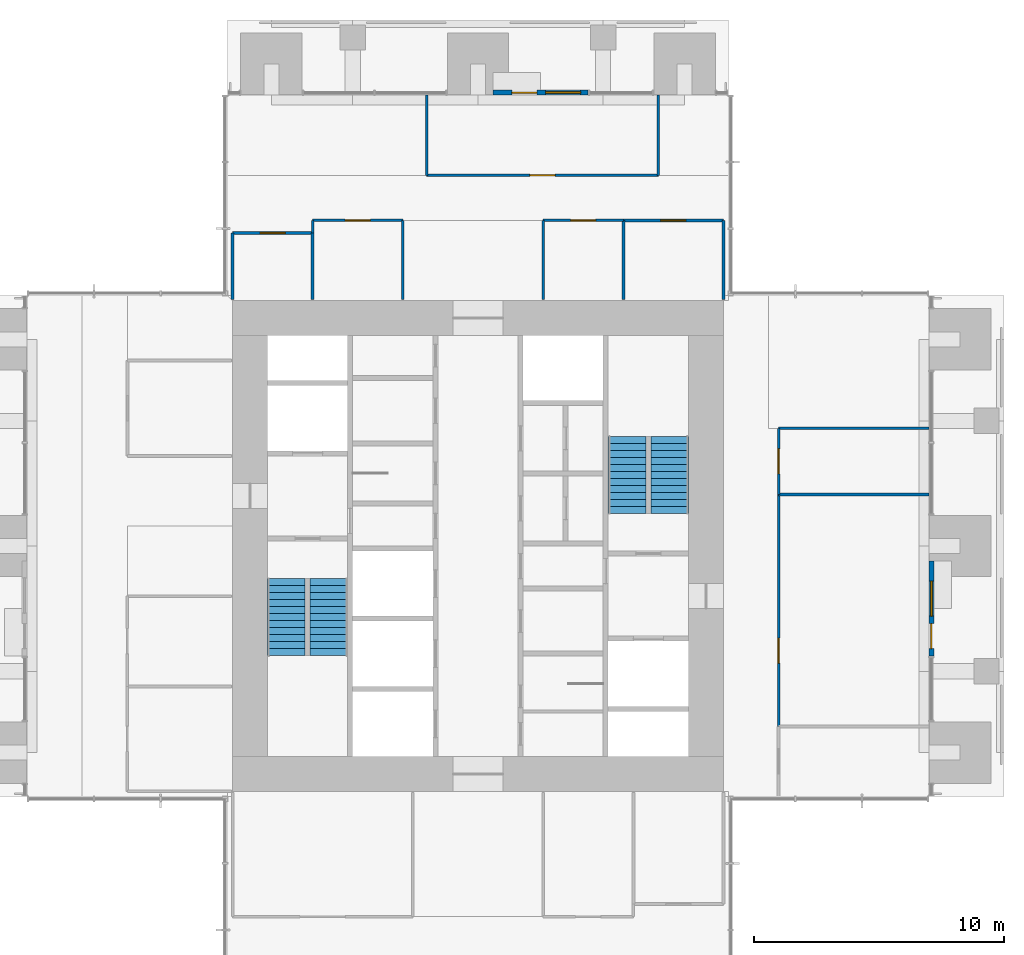
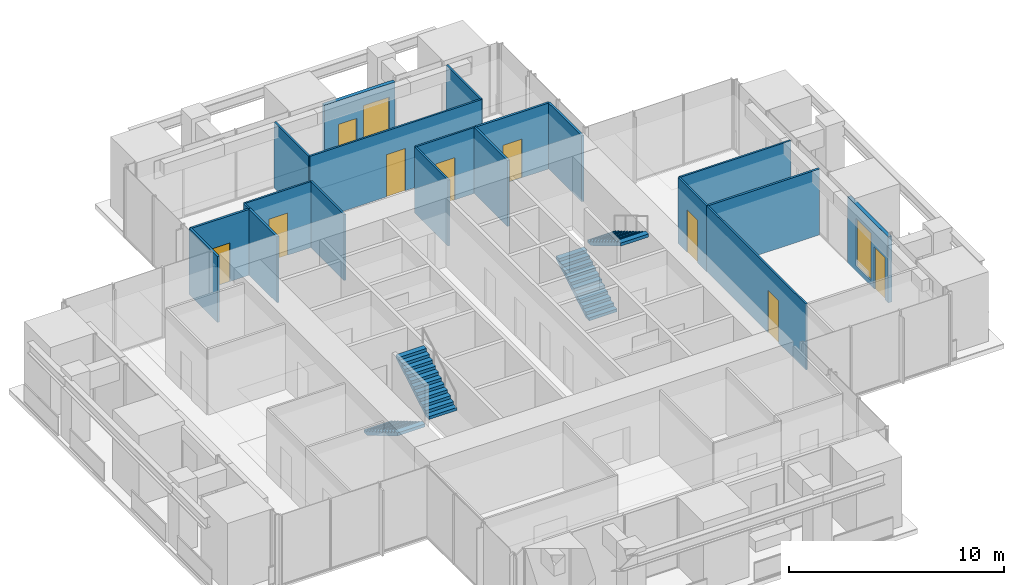
# One storey, part 14 of 17: 20 walls, 9 doors, 4 stair flights, 2 windows, 11 openings, 2 elements without a shape of their own.
"""IFC4 building model written with IfcOpenShell, lengths in metres."""

from ifc_helpers import new_model, si_unit, direction, frame, frame_2d, origin, place, context, subcontext, project, spatial, polyline, rectangle, outline, extrude, material, layer, layer_set, type_object, element, fill, aggregate, save


model = new_model("IFC4")

# Units and contexts
model_context = context("Model", 3, precision=1e-05, world=origin(), true_north=direction((0.0, 1.0)))
body_context = subcontext(model_context, "Body", "Model", "MODEL_VIEW")
ifc_project = project(units=[si_unit("LENGTHUNIT", "METRE"), si_unit("AREAUNIT", "SQUARE_METRE"), si_unit("VOLUMEUNIT", "CUBIC_METRE"), si_unit("PLANEANGLEUNIT", "RADIAN"), si_unit("MASSUNIT", "GRAM", prefix="KILO")], contexts=[model_context])

# Site, building, storey
site_placement = place(None, origin())
site = spatial("IfcSite", under=ifc_project, at=site_placement, CompositionType="ELEMENT")
building_placement = place(site_placement, origin())
building = spatial("IfcBuilding", under=site, at=building_placement, Name="Svetlomir Tower", CompositionType="ELEMENT")
storey_placement = place(building_placement, frame((0.0, 0.0, 186.5)))
storey = spatial("IfcBuildingStorey", under=building, at=storey_placement, Name="L44", CompositionType="ELEMENT", Elevation=186.5)

# Wall, openings, door, window
ifc_material_1 = material(Name="Bronze anodised aluminium glazed screen", Category="aluminium")
ifc_layer_1 = layer(ifc_material_1, 0.199951171875)
ifc_layer_set_1 = layer_set([ifc_layer_1], Name="Bronze anodised aluminium glazed screen")
wall_type_1 = type_object("IfcWallType", Name="BALCONY SCREEN WALL 200", PredefinedType="USERDEFINED", material=ifc_layer_set_1)
wall_1_placement = place(storey_placement, frame((39.10009765625, 16.60009765625, 0.0), z_axis=(0.0, 0.0, 1.0), x_axis=(0.0, 1.0, 0.0)))
wall_1 = element("IfcWall", 1, at=wall_1_placement, inside=storey, type_object=wall_type_1, Name="Balcony screen E", ObjectType="GLAZED SCREEN", PredefinedType="USERDEFINED", context=body_context, shape_type="SweptSolid", body=[
    extrude(rectangle(XDim=3.7998046875, YDim=0.199951171875, at=frame_2d((1.89990234375, 0.0))), origin(), (0.0, 0.0, 1.0), 3.75),
])
opening_1_placement = place(wall_1_placement, frame((0.300048828125, 0.0, 0.0)))
opening_1 = element("IfcOpeningElement", 2, at=opening_1_placement, cuts=wall_1, Name="Opening BD", PredefinedType="OPENING", context=body_context, shape_type="SweptSolid", body=[
    extrude(rectangle(XDim=1.0, YDim=2.39990234375, at=frame_2d((0.5, 1.199951171875))), frame((0.0, 0.10986328125, 0.0), z_axis=(0.0, -1.0, 0.0), x_axis=(1.0, 0.0, 0.0)), (0.0, 0.0, 1.0), 0.219970703125),
])
opening_2_placement = place(wall_1_placement, frame((1.60009765625, 0.0, 0.300048828125)))
opening_2 = element("IfcOpeningElement", 3, at=opening_2_placement, cuts=wall_1, Name="Opening WS2", PredefinedType="OPENING", context=body_context, shape_type="SweptSolid", body=[
    extrude(rectangle(XDim=1.39990234375, YDim=2.699951171875, at=frame_2d((0.699951171875, 1.35009765625))), frame((0.0, 0.10986328125, 0.0), z_axis=(0.0, -1.0, 0.0), x_axis=(1.0, 0.0, 0.0)), (0.0, 0.0, 1.0), 0.219970703125),
])
ifc_material_2 = material(Name="Bronze anodised aluminium glazed door", Category="aluminium")
door_type_1 = type_object("IfcDoorType", Name="BALCONY DOOR BD 1000x2400", OperationType="SINGLE_SWING_LEFT", PredefinedType="DOOR", material=ifc_material_2)
door_1_placement = place(opening_1_placement, origin())
door_1 = element("IfcDoor", 4, at=door_1_placement, inside=storey, type_object=door_type_1, Name="Balcony screen E door", OperationType="SINGLE_SWING_LEFT", OverallHeight=2.39990234375, OverallWidth=1.0, PredefinedType="DOOR", context=body_context, shape_type="SweptSolid", body=[
    extrude(rectangle(XDim=1.0, YDim=2.39990234375, at=frame_2d((0.5, 1.199951171875))), frame((0.0, 0.02490234375, 0.0), z_axis=(0.0, -1.0, 0.0), x_axis=(1.0, 0.0, 0.0)), (0.0, 0.0, 1.0), 0.050048828125),
])
fill(opening_1, door_1)
ifc_material_3 = material(Name="Bronze anodised aluminium window", Category="aluminium")
window_type = type_object("IfcWindowType", Name="SCREEN WINDOW WS2 1400x2700", PartitioningType="SINGLE_PANEL", PredefinedType="WINDOW", material=ifc_material_3)
window_1_placement = place(opening_2_placement, origin())
window_1 = element("IfcWindow", 5, at=window_1_placement, inside=storey, type_object=window_type, Name="Balcony screen E window 1", OverallHeight=2.699951171875, OverallWidth=1.39990234375, PartitioningType="SINGLE_PANEL", PredefinedType="WINDOW", context=body_context, shape_type="SweptSolid", body=[
    extrude(rectangle(XDim=1.39990234375, YDim=2.699951171875, at=frame_2d((0.699951171875, 1.35009765625))), frame((0.0, 0.030029296875, 0.0), z_axis=(0.0, -1.0, 0.0), x_axis=(1.0, 0.0, 0.0)), (0.0, 0.0, 1.0), 0.06005859375),
])
fill(opening_2, window_1)

wall_2_placement = place(storey_placement, frame((25.39990234375, 39.10009765625, 0.0), z_axis=(0.0, 0.0, 1.0), x_axis=(-1.0, 0.0, 0.0)))
wall_2 = element("IfcWall", 6, at=wall_2_placement, inside=storey, type_object=wall_type_1, Name="Balcony screen N", ObjectType="GLAZED SCREEN", PredefinedType="USERDEFINED", context=body_context, shape_type="SweptSolid", body=[
    extrude(rectangle(XDim=3.7998046875, YDim=0.199951171875, at=frame_2d((1.89990234375, 0.0))), origin(), (0.0, 0.0, 1.0), 3.75),
])
opening_3_placement = place(wall_2_placement, frame((2.050048828125, 0.0, 0.0)))
opening_3 = element("IfcOpeningElement", 7, at=opening_3_placement, cuts=wall_2, Name="Opening BD", PredefinedType="OPENING", context=body_context, shape_type="SweptSolid", body=[
    extrude(rectangle(XDim=1.0, YDim=2.39990234375, at=frame_2d((0.5, 1.199951171875))), frame((0.0, 0.10986328125, 0.0), z_axis=(0.0, -1.0, 0.0), x_axis=(1.0, 0.0, 0.0)), (0.0, 0.0, 1.0), 0.219970703125),
])
opening_4_placement = place(wall_2_placement, frame((0.300048828125, 0.0, 0.300048828125)))
opening_4 = element("IfcOpeningElement", 8, at=opening_4_placement, cuts=wall_2, Name="Opening WS2", PredefinedType="OPENING", context=body_context, shape_type="SweptSolid", body=[
    extrude(rectangle(XDim=1.39990234375, YDim=2.699951171875, at=frame_2d((0.699951171875, 1.35009765625))), frame((0.0, 0.10986328125, 0.0), z_axis=(0.0, -1.0, 0.0), x_axis=(1.0, 0.0, 0.0)), (0.0, 0.0, 1.0), 0.219970703125),
])
door_2_placement = place(opening_3_placement, origin())
door_2 = element("IfcDoor", 9, at=door_2_placement, inside=storey, type_object=door_type_1, Name="Balcony screen N door", OperationType="SINGLE_SWING_LEFT", OverallHeight=2.39990234375, OverallWidth=1.0, PredefinedType="DOOR", context=body_context, shape_type="SweptSolid", body=[
    extrude(rectangle(XDim=1.0, YDim=2.39990234375, at=frame_2d((0.5, 1.199951171875))), frame((0.0, 0.02490234375, 0.0), z_axis=(0.0, -1.0, 0.0), x_axis=(1.0, 0.0, 0.0)), (0.0, 0.0, 1.0), 0.050048828125),
])
fill(opening_3, door_2)
window_2_placement = place(opening_4_placement, origin())
window_2 = element("IfcWindow", 10, at=window_2_placement, inside=storey, type_object=window_type, Name="Balcony screen N window 1", OverallHeight=2.699951171875, OverallWidth=1.39990234375, PartitioningType="SINGLE_PANEL", PredefinedType="WINDOW", context=body_context, shape_type="SweptSolid", body=[
    extrude(rectangle(XDim=1.39990234375, YDim=2.699951171875, at=frame_2d((0.699951171875, 1.35009765625))), frame((0.0, 0.030029296875, 0.0), z_axis=(0.0, -1.0, 0.0), x_axis=(1.0, 0.0, 0.0)), (0.0, 0.0, 1.0), 0.06005859375),
])
fill(opening_4, window_2)

# Wall
ifc_material_4 = material(Name="Framed laminated glass partition", Category="glass")
ifc_layer_2 = layer(ifc_material_4, 0.10009765625)
ifc_layer_set_2 = layer_set([ifc_layer_2], Name="Framed laminated glass partition")
wall_type_2 = type_object("IfcWallType", Name="GLAZED PARTITION 100", PredefinedType="PARTITIONING", material=ifc_layer_set_2)
wall_3_placement = place(storey_placement, frame((14.39990234375, 33.5, 0.0), z_axis=(0.0, 0.0, 1.0), x_axis=(0.0, 1.0, 0.0)))
element("IfcWall", 11, at=wall_3_placement, inside=storey, type_object=wall_type_2, Name="Glazed partition L44", PredefinedType="PARTITIONING", context=body_context, shape_type="SweptSolid", body=[
    extrude(rectangle(XDim=0.5, YDim=0.10009765625, at=frame_2d((0.25, 0.0))), origin(), (0.0, 0.0, 1.0), 3.75),
])

# Wall, opening, door
wall_4_placement = place(storey_placement, frame((14.39990234375, 34.0, 0.0), z_axis=(0.0, 0.0, 1.0), x_axis=(1.0, 0.0, 0.0)))
wall_4 = element("IfcWall", 12, at=wall_4_placement, inside=storey, type_object=wall_type_2, Name="Glazed partition L44", PredefinedType="PARTITIONING", context=body_context, shape_type="SweptSolid", body=[
    extrude(rectangle(XDim=3.60009765625, YDim=0.10009765625, at=frame_2d((1.800048828125, 0.0))), origin(), (0.0, 0.0, 1.0), 3.75),
])
opening_5_placement = place(wall_4_placement, frame((1.300048828125, 0.0, 0.0)))
opening_5 = element("IfcOpeningElement", 13, at=opening_5_placement, cuts=wall_4, Name="Opening DG", PredefinedType="OPENING", context=body_context, shape_type="SweptSolid", body=[
    extrude(rectangle(XDim=1.0, YDim=2.39990234375, at=frame_2d((0.5, 1.199951171875))), frame((0.0, 0.06005859375, 0.0), z_axis=(0.0, -1.0, 0.0), x_axis=(1.0, 0.0, 0.0)), (0.0, 0.0, 1.0), 0.1201171875),
])
ifc_material_5 = material(Name="Framed laminated glass door", Category="glass")
door_type_2 = type_object("IfcDoorType", Name="GLAZED DOOR DG 1000x2400", OperationType="SINGLE_SWING_LEFT", PredefinedType="DOOR", material=ifc_material_5)
door_3_placement = place(opening_5_placement, origin())
door_3 = element("IfcDoor", 14, at=door_3_placement, inside=storey, type_object=door_type_2, Name="Meeting room, 6 seats door L44", OperationType="SINGLE_SWING_RIGHT", OverallHeight=2.39990234375, OverallWidth=1.0, PredefinedType="DOOR", context=body_context, shape_type="SweptSolid", body=[
    extrude(rectangle(XDim=1.0, YDim=2.39990234375, at=frame_2d((0.5, 1.199951171875))), frame((0.0, 0.02490234375, 0.0), z_axis=(0.0, -1.0, 0.0), x_axis=(1.0, 0.0, 0.0)), (0.0, 0.0, 1.0), 0.050048828125),
])
fill(opening_5, door_3)

# Walls
wall_5_placement = place(storey_placement, frame((18.0, 30.85009765625, 0.0), z_axis=(0.0, 0.0, 1.0), x_axis=(0.0, 1.0, 0.0)))
element("IfcWall", 15, at=wall_5_placement, inside=storey, type_object=wall_type_2, Name="Glazed partition L44", PredefinedType="PARTITIONING", context=body_context, shape_type="SweptSolid", body=[
    extrude(rectangle(XDim=3.14990234375, YDim=0.10009765625, at=frame_2d((1.574951171875, 0.0))), origin(), (0.0, 0.0, 1.0), 3.75),
])
wall_6_placement = place(storey_placement, frame((18.949951171875, 35.800048828125, 0.0), z_axis=(0.0, 0.0, 1.0), x_axis=(0.0, 1.0, 0.0)))
element("IfcWall", 16, at=wall_6_placement, inside=storey, type_object=wall_type_2, Name="Glazed partition L44", PredefinedType="PARTITIONING", context=body_context, shape_type="SweptSolid", body=[
    extrude(rectangle(XDim=3.199951171875, YDim=0.10009765625, at=frame_2d((1.60009765625, 0.0))), origin(), (0.0, 0.0, 1.0), 3.75),
])

# Wall, opening, door
wall_7_placement = place(storey_placement, frame((18.949951171875, 35.800048828125, 0.0), z_axis=(0.0, 0.0, 1.0), x_axis=(1.0, 0.0, 0.0)))
wall_7 = element("IfcWall", 17, at=wall_7_placement, inside=storey, type_object=wall_type_2, Name="Glazed partition L44", PredefinedType="PARTITIONING", context=body_context, shape_type="SweptSolid", body=[
    extrude(rectangle(XDim=9.25, YDim=0.10009765625, at=frame_2d((4.625, 0.0))), origin(), (0.0, 0.0, 1.0), 3.75),
])
opening_6_placement = place(wall_7_placement, frame((4.125, 0.0, 0.0)))
opening_6 = element("IfcOpeningElement", 18, at=opening_6_placement, cuts=wall_7, Name="Opening DG", PredefinedType="OPENING", context=body_context, shape_type="SweptSolid", body=[
    extrude(rectangle(XDim=1.0, YDim=2.39990234375, at=frame_2d((0.5, 1.199951171875))), frame((0.0, 0.06005859375, 0.0), z_axis=(0.0, -1.0, 0.0), x_axis=(1.0, 0.0, 0.0)), (0.0, 0.0, 1.0), 0.1201171875),
])
door_4_placement = place(opening_6_placement, origin())
door_4 = element("IfcDoor", 19, at=door_4_placement, inside=storey, type_object=door_type_2, Name="Loggia break-out and kitchenette door L44", OperationType="SINGLE_SWING_RIGHT", OverallHeight=2.39990234375, OverallWidth=1.0, PredefinedType="DOOR", context=body_context, shape_type="SweptSolid", body=[
    extrude(rectangle(XDim=1.0, YDim=2.39990234375, at=frame_2d((0.5, 1.199951171875))), frame((0.0, 0.02490234375, 0.0), z_axis=(0.0, -1.0, 0.0), x_axis=(1.0, 0.0, 0.0)), (0.0, 0.0, 1.0), 0.050048828125),
])
fill(opening_6, door_4)

# Wall
wall_8_placement = place(storey_placement, frame((23.60009765625, 30.85009765625, 0.0), z_axis=(0.0, 0.0, 1.0), x_axis=(0.0, 1.0, 0.0)))
element("IfcWall", 20, at=wall_8_placement, inside=storey, type_object=wall_type_2, Name="Glazed partition L44", PredefinedType="PARTITIONING", context=body_context, shape_type="SweptSolid", body=[
    extrude(rectangle(XDim=3.14990234375, YDim=0.10009765625, at=frame_2d((1.574951171875, 0.0))), origin(), (0.0, 0.0, 1.0), 3.75),
])

# Wall, opening, door
wall_9_placement = place(storey_placement, frame((23.60009765625, 34.0, 0.0), z_axis=(0.0, 0.0, 1.0), x_axis=(1.0, 0.0, 0.0)))
wall_9 = element("IfcWall", 21, at=wall_9_placement, inside=storey, type_object=wall_type_2, Name="Glazed partition L44", PredefinedType="PARTITIONING", context=body_context, shape_type="SweptSolid", body=[
    extrude(rectangle(XDim=3.199951171875, YDim=0.10009765625, at=frame_2d((1.60009765625, 0.0))), origin(), (0.0, 0.0, 1.0), 3.75),
])
opening_7_placement = place(wall_9_placement, frame((1.10009765625, 0.0, 0.0)))
opening_7 = element("IfcOpeningElement", 22, at=opening_7_placement, cuts=wall_9, Name="Opening DG", PredefinedType="OPENING", context=body_context, shape_type="SweptSolid", body=[
    extrude(rectangle(XDim=1.0, YDim=2.39990234375, at=frame_2d((0.5, 1.199951171875))), frame((0.0, 0.06005859375, 0.0), z_axis=(0.0, -1.0, 0.0), x_axis=(1.0, 0.0, 0.0)), (0.0, 0.0, 1.0), 0.1201171875),
])
door_5_placement = place(opening_7_placement, origin())
door_5 = element("IfcDoor", 23, at=door_5_placement, inside=storey, type_object=door_type_2, Name="Phone room door L44", OperationType="SINGLE_SWING_LEFT", OverallHeight=2.39990234375, OverallWidth=1.0, PredefinedType="DOOR", context=body_context, shape_type="SweptSolid", body=[
    extrude(rectangle(XDim=1.0, YDim=2.39990234375, at=frame_2d((0.5, 1.199951171875))), frame((0.0, 0.02490234375, 0.0), z_axis=(0.0, -1.0, 0.0), x_axis=(1.0, 0.0, 0.0)), (0.0, 0.0, 1.0), 0.050048828125),
])
fill(opening_7, door_5)

# Wall
wall_10_placement = place(storey_placement, frame((28.199951171875, 35.800048828125, 0.0), z_axis=(0.0, 0.0, 1.0), x_axis=(0.0, 1.0, 0.0)))
element("IfcWall", 24, at=wall_10_placement, inside=storey, type_object=wall_type_2, Name="Glazed partition L44", PredefinedType="PARTITIONING", context=body_context, shape_type="SweptSolid", body=[
    extrude(rectangle(XDim=3.199951171875, YDim=0.10009765625, at=frame_2d((1.60009765625, 0.0))), origin(), (0.0, 0.0, 1.0), 3.75),
])

# Wall, opening, door
wall_11_placement = place(storey_placement, frame((33.0, 13.800048828125, 0.0), z_axis=(0.0, 0.0, 1.0), x_axis=(0.0, 1.0, 0.0)))
wall_11 = element("IfcWall", 25, at=wall_11_placement, inside=storey, type_object=wall_type_2, Name="Glazed partition L44", PredefinedType="PARTITIONING", context=body_context, shape_type="SweptSolid", body=[
    extrude(rectangle(XDim=9.25, YDim=0.10009765625, at=frame_2d((4.625, 0.0))), origin(), (0.0, 0.0, 1.0), 3.75),
])
opening_8_placement = place(wall_11_placement, frame((2.52490234375, 0.0, 0.0)))
opening_8 = element("IfcOpeningElement", 26, at=opening_8_placement, cuts=wall_11, Name="Opening DG", PredefinedType="OPENING", context=body_context, shape_type="SweptSolid", body=[
    extrude(rectangle(XDim=1.0, YDim=2.39990234375, at=frame_2d((0.5, 1.199951171875))), frame((0.0, 0.06005859375, 0.0), z_axis=(0.0, -1.0, 0.0), x_axis=(1.0, 0.0, 0.0)), (0.0, 0.0, 1.0), 0.1201171875),
])
door_6_placement = place(opening_8_placement, origin())
door_6 = element("IfcDoor", 27, at=door_6_placement, inside=storey, type_object=door_type_2, Name="ESG team hub door L44", OperationType="SINGLE_SWING_LEFT", OverallHeight=2.39990234375, OverallWidth=1.0, PredefinedType="DOOR", context=body_context, shape_type="SweptSolid", body=[
    extrude(rectangle(XDim=1.0, YDim=2.39990234375, at=frame_2d((0.5, 1.199951171875))), frame((0.0, 0.02490234375, 0.0), z_axis=(0.0, -1.0, 0.0), x_axis=(1.0, 0.0, 0.0)), (0.0, 0.0, 1.0), 0.050048828125),
])
fill(opening_8, door_6)

wall_12_placement = place(storey_placement, frame((33.0, 23.050048828125, 0.0), z_axis=(0.0, 0.0, 1.0), x_axis=(0.0, 1.0, 0.0)))
wall_12 = element("IfcWall", 28, at=wall_12_placement, inside=storey, type_object=wall_type_2, Name="Glazed partition L44", PredefinedType="PARTITIONING", context=body_context, shape_type="SweptSolid", body=[
    extrude(rectangle(XDim=2.64990234375, YDim=0.10009765625, at=frame_2d((1.324951171875, 0.0))), origin(), (0.0, 0.0, 1.0), 3.75),
])
opening_9_placement = place(wall_12_placement, frame((0.824951171875, 0.0, 0.0)))
opening_9 = element("IfcOpeningElement", 29, at=opening_9_placement, cuts=wall_12, Name="Opening DG", PredefinedType="OPENING", context=body_context, shape_type="SweptSolid", body=[
    extrude(rectangle(XDim=1.0, YDim=2.39990234375, at=frame_2d((0.5, 1.199951171875))), frame((0.0, 0.06005859375, 0.0), z_axis=(0.0, -1.0, 0.0), x_axis=(1.0, 0.0, 0.0)), (0.0, 0.0, 1.0), 0.1201171875),
])
door_7_placement = place(opening_9_placement, origin())
door_7 = element("IfcDoor", 30, at=door_7_placement, inside=storey, type_object=door_type_2, Name="Meeting room, 8 seats door L44", OperationType="SINGLE_SWING_RIGHT", OverallHeight=2.39990234375, OverallWidth=1.0, PredefinedType="DOOR", context=body_context, shape_type="SweptSolid", body=[
    extrude(rectangle(XDim=1.0, YDim=2.39990234375, at=frame_2d((0.5, 1.199951171875))), frame((0.0, 0.02490234375, 0.0), z_axis=(0.0, -1.0, 0.0), x_axis=(1.0, 0.0, 0.0)), (0.0, 0.0, 1.0), 0.050048828125),
])
fill(opening_9, door_7)

# Walls
wall_13_placement = place(storey_placement, frame((33.0, 25.699951171875, 0.0), z_axis=(0.0, 0.0, 1.0), x_axis=(1.0, 0.0, 0.0)))
element("IfcWall", 31, at=wall_13_placement, inside=storey, type_object=wall_type_2, Name="Glazed partition L44", PredefinedType="PARTITIONING", context=body_context, shape_type="SweptSolid", body=[
    extrude(rectangle(XDim=6.0, YDim=0.10009765625, at=frame_2d((3.0, 0.0))), origin(), (0.0, 0.0, 1.0), 3.75),
])
ifc_material_6 = material(Name="Gypsum board on steel studs", Category="steel")
ifc_layer_3 = layer(ifc_material_6, 0.1201171875)
ifc_layer_set_3 = layer_set([ifc_layer_3], Name="Gypsum board on steel studs")
wall_type_3 = type_object("IfcWallType", Name="PARTITION 120", PredefinedType="PARTITIONING", material=ifc_layer_set_3)
wall_14_placement = place(storey_placement, frame((11.199951171875, 30.85009765625, 0.0), z_axis=(0.0, 0.0, 1.0), x_axis=(0.0, 1.0, 0.0)))
element("IfcWall", 32, at=wall_14_placement, inside=storey, type_object=wall_type_3, Name="Partition L44", PredefinedType="PARTITIONING", context=body_context, shape_type="SweptSolid", body=[
    extrude(rectangle(XDim=2.64990234375, YDim=0.1201171875, at=frame_2d((1.324951171875, 0.0))), origin(), (0.0, 0.0, 1.0), 3.75),
])

# Wall, opening, door
wall_15_placement = place(storey_placement, frame((11.199951171875, 33.5, 0.0), z_axis=(0.0, 0.0, 1.0), x_axis=(1.0, 0.0, 0.0)))
wall_15 = element("IfcWall", 33, at=wall_15_placement, inside=storey, type_object=wall_type_3, Name="Partition L44", PredefinedType="PARTITIONING", context=body_context, shape_type="SweptSolid", body=[
    extrude(rectangle(XDim=3.199951171875, YDim=0.1201171875, at=frame_2d((1.60009765625, 0.0))), origin(), (0.0, 0.0, 1.0), 3.75),
])
opening_10_placement = place(wall_15_placement, frame((1.10009765625, 0.0, 0.0)))
opening_10 = element("IfcOpeningElement", 34, at=opening_10_placement, cuts=wall_15, Name="Opening DR", PredefinedType="OPENING", context=body_context, shape_type="SweptSolid", body=[
    extrude(rectangle(XDim=1.0, YDim=2.199951171875, at=frame_2d((0.5, 1.10009765625))), frame((0.0, 0.070068359375, 0.0), z_axis=(0.0, -1.0, 0.0), x_axis=(1.0, 0.0, 0.0)), (0.0, 0.0, 1.0), 0.14013671875),
])
ifc_material_7 = material(Name="Timber door, glazed side light", Category="wood")
door_type_3 = type_object("IfcDoorType", Name="DOOR DR 1000x2200", OperationType="SINGLE_SWING_LEFT", PredefinedType="DOOR", material=ifc_material_7)
door_8_placement = place(opening_10_placement, origin())
door_8 = element("IfcDoor", 35, at=door_8_placement, inside=storey, type_object=door_type_3, Name="Planting lab store door L44", OperationType="SINGLE_SWING_LEFT", OverallHeight=2.199951171875, OverallWidth=1.0, PredefinedType="DOOR", context=body_context, shape_type="SweptSolid", body=[
    extrude(rectangle(XDim=1.0, YDim=2.199951171875, at=frame_2d((0.5, 1.10009765625))), frame((0.0, 0.02490234375, 0.0), z_axis=(0.0, -1.0, 0.0), x_axis=(1.0, 0.0, 0.0)), (0.0, 0.0, 1.0), 0.050048828125),
])
fill(opening_10, door_8)

# Walls
wall_16_placement = place(storey_placement, frame((14.39990234375, 30.85009765625, 0.0), z_axis=(0.0, 0.0, 1.0), x_axis=(0.0, 1.0, 0.0)))
element("IfcWall", 36, at=wall_16_placement, inside=storey, type_object=wall_type_3, Name="Partition L44", PredefinedType="PARTITIONING", context=body_context, shape_type="SweptSolid", body=[
    extrude(rectangle(XDim=2.64990234375, YDim=0.1201171875, at=frame_2d((1.324951171875, 0.0))), origin(), (0.0, 0.0, 1.0), 3.75),
])
wall_17_placement = place(storey_placement, frame((26.800048828125, 30.85009765625, 0.0), z_axis=(0.0, 0.0, 1.0), x_axis=(0.0, 1.0, 0.0)))
element("IfcWall", 37, at=wall_17_placement, inside=storey, type_object=wall_type_3, Name="Partition L44", PredefinedType="PARTITIONING", context=body_context, shape_type="SweptSolid", body=[
    extrude(rectangle(XDim=3.14990234375, YDim=0.1201171875, at=frame_2d((1.574951171875, 0.0))), origin(), (0.0, 0.0, 1.0), 3.75),
])

# Wall, opening, door
wall_18_placement = place(storey_placement, frame((26.800048828125, 34.0, 0.0), z_axis=(0.0, 0.0, 1.0), x_axis=(1.0, 0.0, 0.0)))
wall_18 = element("IfcWall", 38, at=wall_18_placement, inside=storey, type_object=wall_type_3, Name="Partition L44", PredefinedType="PARTITIONING", context=body_context, shape_type="SweptSolid", body=[
    extrude(rectangle(XDim=4.0, YDim=0.1201171875, at=frame_2d((2.0, 0.0))), origin(), (0.0, 0.0, 1.0), 3.75),
])
opening_11_placement = place(wall_18_placement, frame((1.5, 0.0, 0.0)))
opening_11 = element("IfcOpeningElement", 39, at=opening_11_placement, cuts=wall_18, Name="Opening DR", PredefinedType="OPENING", context=body_context, shape_type="SweptSolid", body=[
    extrude(rectangle(XDim=1.0, YDim=2.199951171875, at=frame_2d((0.5, 1.10009765625))), frame((0.0, 0.070068359375, 0.0), z_axis=(0.0, -1.0, 0.0), x_axis=(1.0, 0.0, 0.0)), (0.0, 0.0, 1.0), 0.14013671875),
])
door_9_placement = place(opening_11_placement, origin())
door_9 = element("IfcDoor", 40, at=door_9_placement, inside=storey, type_object=door_type_3, Name="Team leader office door L44", OperationType="SINGLE_SWING_LEFT", OverallHeight=2.199951171875, OverallWidth=1.0, PredefinedType="DOOR", context=body_context, shape_type="SweptSolid", body=[
    extrude(rectangle(XDim=1.0, YDim=2.199951171875, at=frame_2d((0.5, 1.10009765625))), frame((0.0, 0.02490234375, 0.0), z_axis=(0.0, -1.0, 0.0), x_axis=(1.0, 0.0, 0.0)), (0.0, 0.0, 1.0), 0.050048828125),
])
fill(opening_11, door_9)

# Walls
wall_19_placement = place(storey_placement, frame((30.800048828125, 30.85009765625, 0.0), z_axis=(0.0, 0.0, 1.0), x_axis=(0.0, 1.0, 0.0)))
element("IfcWall", 41, at=wall_19_placement, inside=storey, type_object=wall_type_3, Name="Partition L44", PredefinedType="PARTITIONING", context=body_context, shape_type="SweptSolid", body=[
    extrude(rectangle(XDim=3.14990234375, YDim=0.1201171875, at=frame_2d((1.574951171875, 0.0))), origin(), (0.0, 0.0, 1.0), 3.75),
])
wall_20_placement = place(storey_placement, frame((33.0, 23.050048828125, 0.0), z_axis=(0.0, 0.0, 1.0), x_axis=(1.0, 0.0, 0.0)))
element("IfcWall", 42, at=wall_20_placement, inside=storey, type_object=wall_type_3, Name="Partition L44", PredefinedType="PARTITIONING", context=body_context, shape_type="SweptSolid", body=[
    extrude(rectangle(XDim=6.0, YDim=0.1201171875, at=frame_2d((3.0, 0.0))), origin(), (0.0, 0.0, 1.0), 3.75),
])

# Stair, stair flights
ifc_material_8 = material(Name="Concrete C60/75", Category="concrete")
stair_type = type_object("IfcStairType", Name="EXIT STAIR 3200 RISE 4000", PredefinedType="HALF_TURN_STAIR", material=ifc_material_8)
stair_1_placement = place(storey_placement, origin())
stair_1 = element("IfcStair", 43, at=stair_1_placement, inside=storey, type_object=stair_type, Name="Stair S1 L44 to L45", PredefinedType="HALF_TURN_STAIR")
ifc_material_9 = material(Name="Concrete C60/75", Category="concrete")
stair_flight_type = type_object("IfcStairFlightType", Name="STAIR FLIGHT 1500 OF 12 RISERS", PredefinedType="STRAIGHT", material=ifc_material_9)
stair_flight_1_placement = place(storey_placement, frame((13.35009765625, 19.699951171875, 0.0), z_axis=(0.0, 0.0, 1.0), x_axis=(0.0, -1.0, 0.0)))
stair_flight_1 = element("IfcStairFlight", 44, at=stair_flight_1_placement, type_object=stair_flight_type, Name="S1 flight 1", NumberOfRisers=12, NumberOfTreads=11, PredefinedType="STRAIGHT", RiserHeight=0.166666667, TreadLength=0.28, context=body_context, shape_type="SweptSolid", body=[
    extrude(outline(polyline([(0.0, 0.0), (0.0, 0.166748046875), (0.280029296875, 0.166748046875), (0.280029296875, 0.333251953125), (0.56005859375, 0.333251953125), (0.56005859375, 0.5), (0.840087890625, 0.5), (0.840087890625, 0.666748046875), (1.1201171875, 0.666748046875), (1.1201171875, 0.833251953125), (1.39990234375, 0.833251953125), (1.39990234375, 1.0), (1.679931640625, 1.0), (1.679931640625, 1.166748046875), (1.9599609375, 1.166748046875), (1.9599609375, 1.333251953125), (2.239990234375, 1.333251953125), (2.239990234375, 1.5), (2.52001953125, 1.5), (2.52001953125, 1.666748046875), (2.800048828125, 1.666748046875), (2.800048828125, 1.833251953125), (3.080078125, 1.833251953125), (3.080078125, 2.0), (3.080078125, 1.658935546875), (0.29296875, 0.0), (0.0, 0.0)])), frame((0.0, 0.75, 0.0), z_axis=(0.0, -1.0, 0.0), x_axis=(1.0, 0.0, 0.0)), (0.0, 0.0, 1.0), 1.5),
])
stair_flight_2_placement = place(storey_placement, frame((15.050048828125, 16.6201171875, 2.0), z_axis=(0.0, 0.0, 1.0), x_axis=(0.0, 1.0, 0.0)))
stair_flight_2 = element("IfcStairFlight", 45, at=stair_flight_2_placement, type_object=stair_flight_type, Name="S1 flight 2", NumberOfRisers=12, NumberOfTreads=11, PredefinedType="STRAIGHT", RiserHeight=0.166666667, TreadLength=0.28, context=body_context, shape_type="SweptSolid", body=[
    extrude(outline(polyline([(0.0, 0.0), (0.0, 0.166748046875), (0.280029296875, 0.166748046875), (0.280029296875, 0.333251953125), (0.56005859375, 0.333251953125), (0.56005859375, 0.5), (0.840087890625, 0.5), (0.840087890625, 0.666748046875), (1.1201171875, 0.666748046875), (1.1201171875, 0.833251953125), (1.39990234375, 0.833251953125), (1.39990234375, 1.0), (1.679931640625, 1.0), (1.679931640625, 1.166748046875), (1.9599609375, 1.166748046875), (1.9599609375, 1.333251953125), (2.239990234375, 1.333251953125), (2.239990234375, 1.5), (2.52001953125, 1.5), (2.52001953125, 1.666748046875), (2.800048828125, 1.666748046875), (2.800048828125, 1.833251953125), (3.080078125, 1.833251953125), (3.080078125, 2.0), (3.080078125, 1.658935546875), (0.29296875, 0.0), (0.0, 0.0)])), frame((0.0, 0.75, 0.0), z_axis=(0.0, -1.0, 0.0), x_axis=(1.0, 0.0, 0.0)), (0.0, 0.0, 1.0), 1.5),
])
aggregate(stair_1, [stair_flight_1, stair_flight_2])

stair_2_placement = place(storey_placement, origin())
stair_2 = element("IfcStair", 46, at=stair_2_placement, inside=storey, type_object=stair_type, Name="Stair S2 L44 to L45", PredefinedType="HALF_TURN_STAIR")
stair_flight_3_placement = place(storey_placement, frame((26.949951171875, 22.300048828125, 0.0), z_axis=(0.0, 0.0, 1.0), x_axis=(0.0, 1.0, 0.0)))
stair_flight_3 = element("IfcStairFlight", 47, at=stair_flight_3_placement, type_object=stair_flight_type, Name="S2 flight 1", NumberOfRisers=12, NumberOfTreads=11, PredefinedType="STRAIGHT", RiserHeight=0.166666667, TreadLength=0.28, context=body_context, shape_type="SweptSolid", body=[
    extrude(outline(polyline([(0.0, 0.0), (0.0, 0.166748046875), (0.280029296875, 0.166748046875), (0.280029296875, 0.333251953125), (0.56005859375, 0.333251953125), (0.56005859375, 0.5), (0.840087890625, 0.5), (0.840087890625, 0.666748046875), (1.1201171875, 0.666748046875), (1.1201171875, 0.833251953125), (1.39990234375, 0.833251953125), (1.39990234375, 1.0), (1.679931640625, 1.0), (1.679931640625, 1.166748046875), (1.9599609375, 1.166748046875), (1.9599609375, 1.333251953125), (2.239990234375, 1.333251953125), (2.239990234375, 1.5), (2.52001953125, 1.5), (2.52001953125, 1.666748046875), (2.800048828125, 1.666748046875), (2.800048828125, 1.833251953125), (3.080078125, 1.833251953125), (3.080078125, 2.0), (3.080078125, 1.658935546875), (0.29296875, 0.0), (0.0, 0.0)])), frame((0.0, 0.75, 0.0), z_axis=(0.0, -1.0, 0.0), x_axis=(1.0, 0.0, 0.0)), (0.0, 0.0, 1.0), 1.5),
])
stair_flight_4_placement = place(storey_placement, frame((28.64990234375, 25.3798828125, 2.0), z_axis=(0.0, 0.0, 1.0), x_axis=(0.0, -1.0, 0.0)))
stair_flight_4 = element("IfcStairFlight", 48, at=stair_flight_4_placement, type_object=stair_flight_type, Name="S2 flight 2", NumberOfRisers=12, NumberOfTreads=11, PredefinedType="STRAIGHT", RiserHeight=0.166666667, TreadLength=0.28, context=body_context, shape_type="SweptSolid", body=[
    extrude(outline(polyline([(0.0, 0.0), (0.0, 0.166748046875), (0.280029296875, 0.166748046875), (0.280029296875, 0.333251953125), (0.56005859375, 0.333251953125), (0.56005859375, 0.5), (0.840087890625, 0.5), (0.840087890625, 0.666748046875), (1.1201171875, 0.666748046875), (1.1201171875, 0.833251953125), (1.39990234375, 0.833251953125), (1.39990234375, 1.0), (1.679931640625, 1.0), (1.679931640625, 1.166748046875), (1.9599609375, 1.166748046875), (1.9599609375, 1.333251953125), (2.239990234375, 1.333251953125), (2.239990234375, 1.5), (2.52001953125, 1.5), (2.52001953125, 1.666748046875), (2.800048828125, 1.666748046875), (2.800048828125, 1.833251953125), (3.080078125, 1.833251953125), (3.080078125, 2.0), (3.080078125, 1.658935546875), (0.29296875, 0.0), (0.0, 0.0)])), frame((0.0, 0.75, 0.0), z_axis=(0.0, -1.0, 0.0), x_axis=(1.0, 0.0, 0.0)), (0.0, 0.0, 1.0), 1.5),
])
aggregate(stair_2, [stair_flight_3, stair_flight_4])

save(model, "model.ifc")
